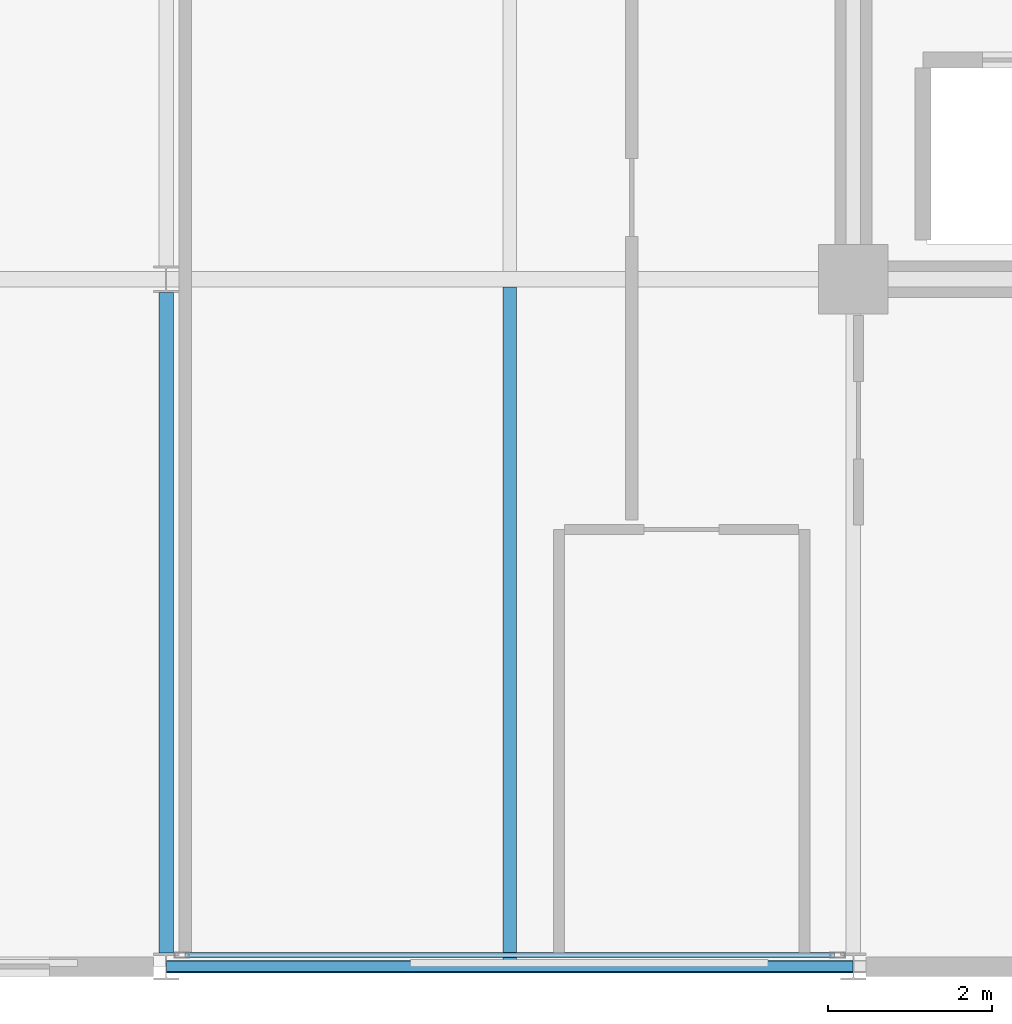
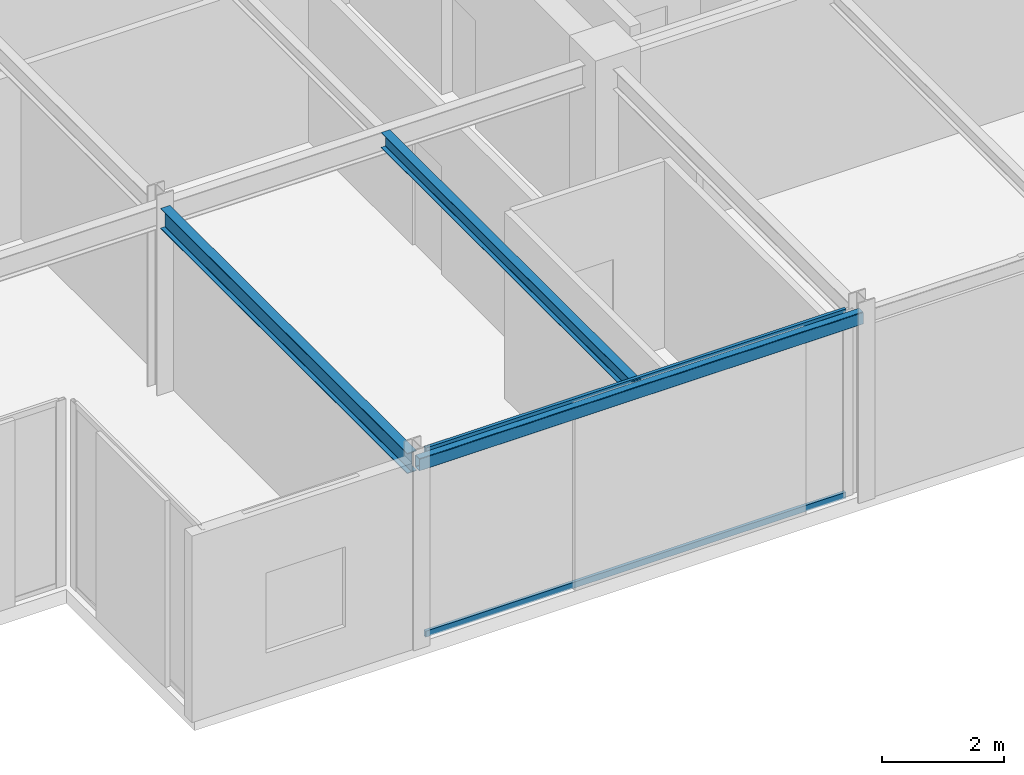
# One storey, part 4 of 24: 3 beams, 2 members, 1 element without a shape of its own.
"""IFC4 building model written with IfcOpenShell, lengths in metres."""

import ifcopenshell
import ifcopenshell.guid

model = None  # the IFC model being written
_history = None  # IfcOwnerHistory: only IFC2X3 demands one
_inside = {}  # id of a spatial element -> (the spatial element, [elements in it])
_under = {}  # id of a project, library or spatial element -> (it, [spatial elements below it])
_declared = {}  # id of a project -> (the project, [libraries it declares])
_typed = {}  # id of a type object -> (the type object, [elements of that type])
_made_of = {}  # id of a material, layer set ... -> (it, [elements and type objects made of it])


def new_model(schema):
    """Start an empty IFC model of exactly this schema.

    Asked for "IFC4X3", IfcOpenShell would pick the latest addendum, in which some entities
    have other attributes; the version numbers below select the first issue.
    IFC2X3 requires an IfcOwnerHistory on every rooted entity: one is made here for all.
    """
    global model, _history
    if schema == "IFC4X3":
        model = ifcopenshell.file(schema_version=(4, 3, 0, 0))
    else:
        model = ifcopenshell.file(schema=schema)
    _inside.clear()
    _under.clear()
    _declared.clear()
    _typed.clear()
    _made_of.clear()
    _history = None
    if model.schema == "IFC2X3":
        org = make("IfcOrganization", Name="unknown")
        user = make(
            "IfcPersonAndOrganization",
            ThePerson=make("IfcPerson", FamilyName="unknown"),
            TheOrganization=org,
        )
        app = make(
            "IfcApplication",
            ApplicationDeveloper=org,
            Version="unknown",
            ApplicationFullName="unknown",
            ApplicationIdentifier="unknown",
        )
        _history = make(
            "IfcOwnerHistory",
            OwningUser=user,
            OwningApplication=app,
            ChangeAction="ADDED",
            CreationDate=0,
        )
    return model


def make(cls, **values):
    """One entity of the class cls with the attributes given. An attribute that is None is left unset."""
    return model.create_entity(
        cls, **{name: value for name, value in values.items() if value is not None}
    )


def rooted(cls, **values):
    """An entity with a GlobalId (a new one), such as an element, a storey or a relation."""
    return make(cls, GlobalId=ifcopenshell.guid.new(), OwnerHistory=_history, **values)


def si_unit(unit_type, name, prefix=None):
    """IfcSIUnit, for example si_unit("LENGTHUNIT", "METRE", prefix="MILLI")."""
    return make("IfcSIUnit", UnitType=unit_type, Prefix=prefix, Name=name)


def assignment(units):
    """IfcUnitAssignment: the units of a project."""
    return None if units is None else make("IfcUnitAssignment", Units=units)


def point(xyz):
    """IfcCartesianPoint."""
    return None if xyz is None else make("IfcCartesianPoint", Coordinates=xyz)


def direction(xyz):
    """IfcDirection."""
    return None if xyz is None else make("IfcDirection", DirectionRatios=xyz)


def frame(location, z_axis=None, x_axis=None):
    """IfcAxis2Placement3D, a coordinate frame: its origin and axes. An axis left out is left unset."""
    return make(
        "IfcAxis2Placement3D",
        Location=point(location),
        Axis=direction(z_axis),
        RefDirection=direction(x_axis),
    )


def frame_2d(location, x_axis=None):
    """IfcAxis2Placement2D, a coordinate frame in the plane: its origin and x axis."""
    return make(
        "IfcAxis2Placement2D", Location=point(location), RefDirection=direction(x_axis)
    )


def origin():
    """The frame at (0, 0, 0) with its axes left unset."""
    return frame((0.0, 0.0, 0.0))


def origin_2d():
    """The frame at (0, 0) in the plane with its x axis left unset."""
    return frame_2d((0.0, 0.0))


def place(relative_to, where):
    """IfcLocalPlacement: puts the frame where relative to a parent placement (None: the world)."""
    return make(
        "IfcLocalPlacement", PlacementRelTo=relative_to, RelativePlacement=where
    )


def context(
    kind, dimensions, precision=None, world=None, true_north=None, identifier=None
):
    """IfcGeometricRepresentationContext, for example the 3D "Model" context."""
    return make(
        "IfcGeometricRepresentationContext",
        ContextIdentifier=identifier,
        ContextType=kind,
        CoordinateSpaceDimension=dimensions,
        Precision=precision,
        WorldCoordinateSystem=world,
        TrueNorth=true_north,
    )


def subcontext(parent, identifier, kind, view, scale=None):
    """IfcGeometricRepresentationSubContext, for example "Body" below "Model"."""
    return make(
        "IfcGeometricRepresentationSubContext",
        ContextIdentifier=identifier,
        ContextType=kind,
        ParentContext=parent,
        TargetScale=scale,
        TargetView=view,
    )


def project(units=None, contexts=None):
    """IfcProject with its units and contexts."""
    return rooted(
        "IfcProject",
        Name="project",
        RepresentationContexts=contexts,
        UnitsInContext=assignment(units),
    )


def spatial(cls, under=None, at=None, **own):
    """A site, building, storey or space (cls), placed at a placement, below another one or the project."""
    s = rooted(cls, ObjectPlacement=at, **own)
    if under is not None:
        _under.setdefault(under.id(), (under, []))[1].append(s)
    return s


def profile(cls, at=None, kind="AREA", **sizes):
    """A parametric profile (cls). Its sizes go by their IFC names, for example OverallWidth=200.0."""
    return make(cls, ProfileType=kind, Position=at, **sizes)


def hollow_rectangle(**sizes):
    """IfcRectangleHollowProfileDef."""
    return profile("IfcRectangleHollowProfileDef", **sizes)


def i_section(**sizes):
    """IfcIShapeProfileDef."""
    return profile("IfcIShapeProfileDef", **sizes)


def extrude(swept, where, along, depth):
    """IfcExtrudedAreaSolid: the profile swept, set in the frame where, extruded along a direction by depth."""
    return make(
        "IfcExtrudedAreaSolid",
        SweptArea=swept,
        Position=where,
        ExtrudedDirection=direction(along),
        Depth=depth,
    )


def shape(context_of_items, identifier, shape_type, items):
    """IfcShapeRepresentation: the items that make up one representation, for example the "Body"."""
    return make(
        "IfcShapeRepresentation",
        ContextOfItems=context_of_items,
        RepresentationIdentifier=identifier,
        RepresentationType=shape_type,
        Items=items,
    )


def material(Name=None, Category=None):
    """IfcMaterial."""
    return make("IfcMaterial", Name=Name, Category=Category)


def layer(
    of_material, thickness, ventilated=None, Name=None, Category=None, Priority=None
):
    """IfcMaterialLayer: one layer of a wall or slab, of a material (None: an air gap)."""
    return make(
        "IfcMaterialLayer",
        Material=of_material,
        LayerThickness=thickness,
        IsVentilated=ventilated,
        Name=Name,
        Category=Category,
        Priority=Priority,
    )


def layer_set(layers, Name=None):
    """IfcMaterialLayerSet."""
    return make("IfcMaterialLayerSet", MaterialLayers=layers, LayerSetName=Name)


def material_profile(
    of_material, cross_section, Name=None, Category=None, Priority=None
):
    """IfcMaterialProfile: a cross section and its material."""
    return make(
        "IfcMaterialProfile",
        Name=Name,
        Material=of_material,
        Profile=cross_section,
        Priority=Priority,
        Category=Category,
    )


def profile_set(profiles, Name=None, composite=None):
    """IfcMaterialProfileSet."""
    return make(
        "IfcMaterialProfileSet",
        Name=Name,
        MaterialProfiles=profiles,
        CompositeProfile=composite,
    )


def made_of(thing, what):
    """Note that an element or type object is made of a material, layer set ...; save() writes the relation."""
    if what is not None:
        _made_of.setdefault(what.id(), (what, []))[1].append(thing)
    return thing


def type_object(cls, material=None, **own):
    """A type object (cls), such as IfcWallType, which elements share."""
    return made_of(rooted(cls, **own), material)


def element(
    cls,
    number,
    at=None,
    inside=None,
    cuts=None,
    type_object=None,
    material=None,
    context=None,
    identifier="Body",
    shape_type=None,
    held_by="IfcProductDefinitionShape",
    body=None,
    shapes=None,
    **own,
):
    """One element of the class cls, such as IfcWall. Its Tag is "e" and its number.

    at: its placement. inside: the storey or other place that contains it. cuts: it is an
    opening in that element (IfcRelVoidsElement). A single representation is given by context,
    identifier, shape_type and body (its items); several are given by shapes. held_by: the class
    of the entity that holds the representations. save() writes the other relations.
    """
    e = rooted(cls, Tag="e%d" % number, ObjectPlacement=at, **own)
    if body is not None:
        shapes = [shape(context, identifier, shape_type, body)]
    if shapes is not None:
        e.Representation = make(held_by, Representations=shapes)
    if inside is not None:
        _inside.setdefault(inside.id(), (inside, []))[1].append(e)
    if cuts is not None:
        rooted(
            "IfcRelVoidsElement", RelatingBuildingElement=cuts, RelatedOpeningElement=e
        )
    if type_object is not None:
        _typed.setdefault(type_object.id(), (type_object, []))[1].append(e)
    return made_of(e, material)


def aggregate(whole, parts):
    """IfcRelAggregates: a whole, such as a stair, and the parts it consists of."""
    return rooted("IfcRelAggregates", RelatingObject=whole, RelatedObjects=parts)


def save(model, path):
    """Write the relations noted so far, then the file.

    IfcRelAggregates (storeys below a building ...), IfcRelContainedInSpatialStructure (elements
    in a storey), IfcRelDefinesByType, IfcRelAssociatesMaterial and IfcRelDeclares: one each for
    every whole, place, type object, material and project.
    """
    for whole, parts in _under.values():
        aggregate(whole, parts)
    for where, things in _inside.values():
        rooted(
            "IfcRelContainedInSpatialStructure",
            RelatedElements=things,
            RelatingStructure=where,
        )
    for kind, things in _typed.values():
        rooted("IfcRelDefinesByType", RelatedObjects=things, RelatingType=kind)
    for what, things in _made_of.values():
        rooted("IfcRelAssociatesMaterial", RelatedObjects=things, RelatingMaterial=what)
    for by, libraries in _declared.values():
        rooted("IfcRelDeclares", RelatingContext=by, RelatedDefinitions=libraries)
    model.write(path)


model = new_model("IFC4")

# Units and contexts
model_context = context("Model", 3, precision=1e-05, world=origin(), true_north=direction((0.0, 1.0)))
body_context = subcontext(model_context, "Body", "Model", "MODEL_VIEW")
ifc_project = project(units=[si_unit("LENGTHUNIT", "METRE"), si_unit("AREAUNIT", "SQUARE_METRE"), si_unit("VOLUMEUNIT", "CUBIC_METRE"), si_unit("PLANEANGLEUNIT", "RADIAN"), si_unit("MASSUNIT", "GRAM", prefix="KILO")], contexts=[model_context])

# Site, building, storey
site_placement = place(None, origin())
site = spatial("IfcSite", under=ifc_project, at=site_placement, CompositionType="ELEMENT")
building_placement = place(site_placement, origin())
building = spatial("IfcBuilding", under=site, at=building_placement, Name="Nerrivon Quay Data Exchange", CompositionType="ELEMENT")
storey_placement = place(building_placement, frame((0.0, 0.0, 306.199951171875)))
storey = spatial("IfcBuildingStorey", under=building, at=storey_placement, Name="L73", CompositionType="ELEMENT", Elevation=306.199951171875)

# Beams
ifc_material_1 = material(Name="Steel Grade 350", Category="steel")
ifc_material_profile_1 = material_profile(ifc_material_1, i_section(OverallWidth=0.177978515625, OverallDepth=0.406005859375, WebThickness=0.0078125, FlangeThickness=0.0126953125, FilletRadius=0.011474609375, at=origin_2d()), Name="410UB59.7")
ifc_profile_set_1 = profile_set([ifc_material_profile_1], Name="Steel Grade 350")
beam_type_1 = type_object("IfcBeamType", Name="BM-J1-410UB60", PredefinedType="JOIST", material=ifc_profile_set_1)
beam_1_placement = place(storey_placement, frame((8.39990234375, 0.16357421875, 3.52197265625), z_axis=(0.0, 1.0, 0.0), x_axis=(-1.0, 0.0, 0.0)))
element("IfcBeam", 1, at=beam_1_placement, inside=storey, type_object=beam_type_1, Name="L73 NS Girder X=8.4 (0.0..8.4)", PredefinedType="JOIST", context=body_context, shape_type="SweptSolid", body=[
    extrude(i_section(OverallWidth=0.177978515625, OverallDepth=0.406005859375, WebThickness=0.0078125, FlangeThickness=0.0126953125, FilletRadius=0.011474609375, at=origin_2d()), origin(), (0.0, 0.0, 1.0), 8.072998046875),
])
ifc_material_profile_2 = material_profile(ifc_material_1, i_section(OverallWidth=0.1650390625, OverallDepth=0.303955078125, WebThickness=0.006103515625, FlangeThickness=0.01025390625, FilletRadius=0.011474609375, at=origin_2d()), Name="310UB40.4")
ifc_profile_set_2 = profile_set([ifc_material_profile_2], Name="Steel Grade 350")
beam_type_2 = type_object("IfcBeamType", Name="BM-J6-310UB40", PredefinedType="JOIST", material=ifc_profile_set_2)
beam_2_placement = place(storey_placement, frame((12.60009765625, 0.074951171875, 3.572998046875), z_axis=(0.0, 1.0, 0.0), x_axis=(-1.0, 0.0, 0.0)))
element("IfcBeam", 2, at=beam_2_placement, inside=storey, type_object=beam_type_2, Name="L73 Secondary Joist X=12.6 (0.0..8.4)", PredefinedType="JOIST", context=body_context, shape_type="SweptSolid", body=[
    extrude(i_section(OverallWidth=0.1650390625, OverallDepth=0.303955078125, WebThickness=0.006103515625, FlangeThickness=0.01025390625, FilletRadius=0.011474609375, at=origin_2d()), origin(), (0.0, 0.0, 1.0), 8.22998046875),
])
ifc_material_2 = material(Name="Steel Grade C350L0 (350 MPa)", Category="steel")
ifc_material_profile_3 = material_profile(ifc_material_2, hollow_rectangle(XDim=0.14990234375, YDim=0.25, WallThickness=0.009033203125, InnerFilletRadius=0.013427734375, OuterFilletRadius=0.0224609375, at=origin_2d()), Name="250x150x9.0RHS")
ifc_profile_set_3 = profile_set([ifc_material_profile_3], Name="Steel Grade C350L0 (350 MPa)")
beam_type_3 = type_object("IfcBeamType", Name="BM-SP4-250x150RHS", PredefinedType="SPANDREL", material=ifc_profile_set_3)
beam_3_placement = place(storey_placement, frame((8.40771484375, 0.0, 3.60009765625), z_axis=(1.0, 0.0, 0.0), x_axis=(0.0, 1.0, 0.0)))
element("IfcBeam", 3, at=beam_3_placement, inside=storey, type_object=beam_type_3, Name="L73 EW Girder Y=0.0 (8.4..16.8)", PredefinedType="SPANDREL", context=body_context, shape_type="SweptSolid", body=[
    extrude(hollow_rectangle(XDim=0.14990234375, YDim=0.25, WallThickness=0.009033203125, InnerFilletRadius=0.013427734375, OuterFilletRadius=0.0224609375, at=origin_2d()), origin(), (0.0, 0.0, 1.0), 8.38427734375),
])

# Curtain wall, members
ifc_material_3 = material(Name="Anodised aluminium 6063-T6", Category="aluminium")
ifc_layer = layer(ifc_material_3, 0.195068359375)
ifc_layer_set = layer_set([ifc_layer], Name="Anodised aluminium 6063-T6")
curtain_wall_type = type_object("IfcCurtainWallType", Name="CW-SYS-06", PredefinedType="NOTDEFINED", material=ifc_layer_set)
curtain_wall_placement = place(storey_placement, origin())
curtain_wall = element("IfcCurtainWall", 4, at=curtain_wall_placement, inside=storey, type_object=curtain_wall_type, Name="L73 Unitised Curtain Wall 4", PredefinedType="NOTDEFINED")
ifc_material_profile_4 = material_profile(ifc_material_3, hollow_rectangle(XDim=0.06005859375, YDim=0.1201171875, WallThickness=0.003173828125, at=origin_2d()), Name="ALU-TRAN-120x60")
ifc_profile_set_4 = profile_set([ifc_material_profile_4], Name="Anodised aluminium 6063-T6")
member_type = type_object("IfcMemberType", Name="CWT-120x60", PredefinedType="USERDEFINED", material=ifc_profile_set_4)
member_1_placement = place(storey_placement, frame((16.569580078125, 0.139892578125, 0.032470703125), z_axis=(-1.0, 0.0, 0.0), x_axis=(0.0, -1.0, 0.0)))
member_1 = element("IfcMember", 5, at=member_1_placement, type_object=member_type, Name="CW06 transom 1.1", ObjectType="TRANSOM", PredefinedType="USERDEFINED", context=body_context, shape_type="SweptSolid", body=[
    extrude(hollow_rectangle(XDim=0.06005859375, YDim=0.1201171875, WallThickness=0.003173828125, at=origin_2d()), origin(), (0.0, 0.0, 1.0), 7.93896484375),
])
member_2_placement = place(storey_placement, frame((16.569580078125, 0.139892578125, 3.692626953125), z_axis=(-1.0, 0.0, 0.0), x_axis=(0.0, -1.0, 0.0)))
member_2 = element("IfcMember", 6, at=member_2_placement, type_object=member_type, Name="CW06 transom 1.2", ObjectType="TRANSOM", PredefinedType="USERDEFINED", context=body_context, shape_type="SweptSolid", body=[
    extrude(hollow_rectangle(XDim=0.06005859375, YDim=0.1201171875, WallThickness=0.003173828125, at=origin_2d()), origin(), (0.0, 0.0, 1.0), 7.93896484375),
])
aggregate(curtain_wall, [member_1, member_2])

save(model, "model.ifc")
